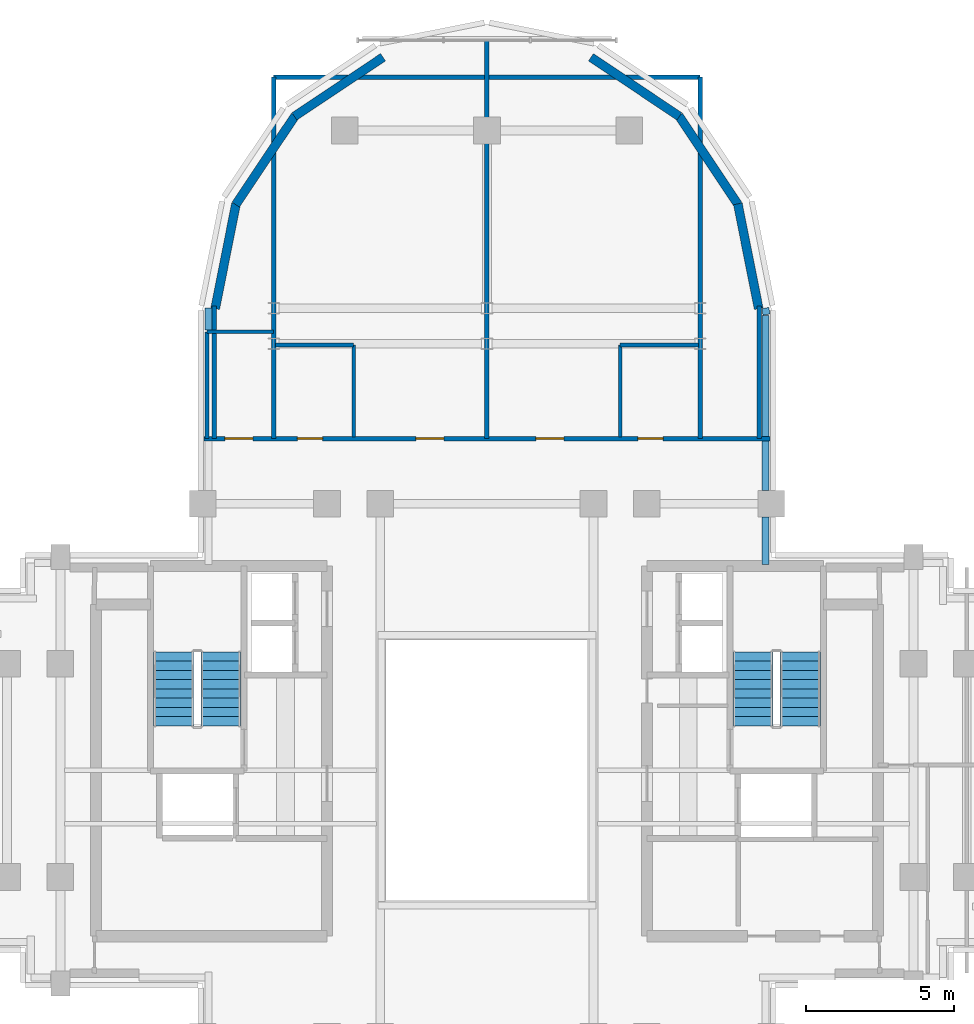
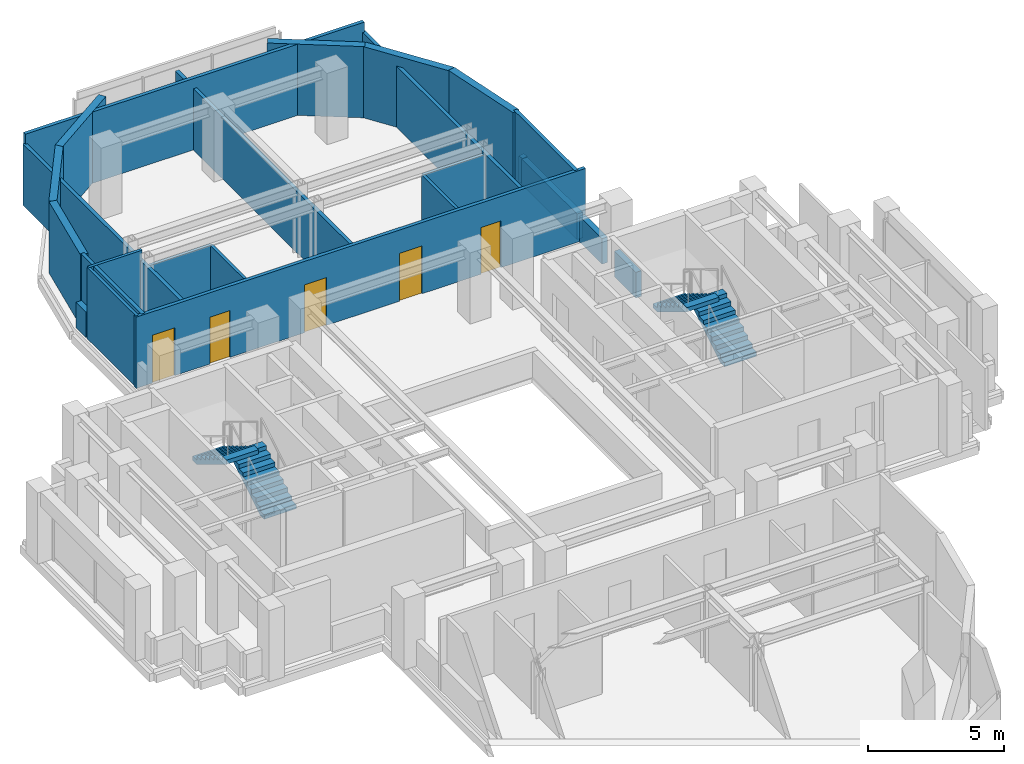
# One storey, part 8 of 11: 24 walls, 5 doors, 4 stair flights, 5 openings, 2 elements without a shape of their own.
"""IFC4 building model written with IfcOpenShell, lengths in metres."""

from ifc_helpers import new_model, si_unit, direction, frame, frame_2d, origin, place, context, subcontext, project, spatial, polyline, rectangle, outline, extrude, source, transform, mapped, material, layer, layer_set, type_object, element, fill, aggregate, save


model = new_model("IFC4")

# Units and contexts
model_context = context("Model", 3, precision=1e-05, world=origin(), true_north=direction((0.0, 1.0)))
body_context = subcontext(model_context, "Body", "Model", "MODEL_VIEW")
ifc_project = project(units=[si_unit("LENGTHUNIT", "METRE"), si_unit("AREAUNIT", "SQUARE_METRE"), si_unit("VOLUMEUNIT", "CUBIC_METRE"), si_unit("PLANEANGLEUNIT", "RADIAN"), si_unit("MASSUNIT", "GRAM", prefix="KILO")], contexts=[model_context])

# Site, building, storey
site_placement = place(None, origin())
site = spatial("IfcSite", under=ifc_project, at=site_placement, CompositionType="ELEMENT")
building_placement = place(site_placement, origin())
building = spatial("IfcBuilding", under=site, at=building_placement, Name="Keilestroom Media Tower", CompositionType="ELEMENT")
storey_placement = place(building_placement, frame((0.0, 0.0, 201.199951171875)))
storey = spatial("IfcBuildingStorey", under=building, at=storey_placement, Name="L55", CompositionType="ELEMENT", Elevation=201.199951171875)

# Walls
ifc_material_1 = material(Name="Precast concrete C40/50", Category="concrete")
ifc_layer_1 = layer(ifc_material_1, 0.300048828125)
ifc_layer_set_1 = layer_set([ifc_layer_1], Name="Precast concrete C40/50")
wall_type_1 = type_object("IfcWallType", Name="Exterior-Masonry-Spandrel-Wall-300", PredefinedType="SOLIDWALL", material=ifc_layer_set_1)
for number, where, z_axis, x_axis, name in (
    (1, (9.1748046875, 15.585205078125, 0.0), (0.0, 0.0, 1.0), (-0.195114232679, 0.980780523974, 0.0), "L55 Lobe Facet Precast Frame Wall 01"),
    (2, (8.48193359375, 19.097412109375, 0.0), (0.0, 0.0, 1.0), (-0.555574187116, 0.831466970246, 0.0), "L55 Lobe Facet Precast Frame Wall 02"),
):
    element("IfcWall", number, at=place(storey_placement, frame(where, z_axis=z_axis, x_axis=x_axis)), inside=storey, type_object=wall_type_1, Name=name, PredefinedType="SOLIDWALL", context=body_context, shape_type="SweptSolid", body=[
        extrude(rectangle(XDim=3.608642578125, YDim=0.300048828125, at=frame_2d((1.80419921875, 0.0))), origin(), (0.0, 0.0, 1.0), 3.199951171875),
    ])
for number, where, z_axis, x_axis, name in (
    (3, (6.497802734375, 22.0771484375, 0.0), (0.0, 0.0, 1.0), (-0.8314749531, 0.555562239868, 0.0), "L55 Lobe Facet Precast Frame Wall 03"),
    (4, (-3.510009765625, 24.073486328125, 0.0), (0.0, 0.0, 1.0), (-0.8314749531, -0.555562239868, 0.0), "L55 Lobe Facet Precast Frame Wall 04"),
):
    element("IfcWall", number, at=place(storey_placement, frame(where, z_axis=z_axis, x_axis=x_axis)), inside=storey, type_object=wall_type_1, Name=name, PredefinedType="SOLIDWALL", context=body_context, shape_type="SweptSolid", body=[
        extrude(rectangle(XDim=3.59326171875, YDim=0.300048828125, at=frame_2d((1.796630859375, 0.0))), origin(), (0.0, 0.0, 1.0), 3.199951171875),
    ])
for number, where, z_axis, x_axis, name in (
    (5, (-6.47705078125, 22.097900390625, 0.0), (0.0, 0.0, 1.0), (-0.555574187116, -0.831466970246, 0.0), "L55 Lobe Facet Precast Frame Wall 05"),
    (6, (-8.470703125, 19.12451171875, 0.0), (0.0, 0.0, 1.0), (-0.195114232679, -0.980780523974, 0.0), "L55 Lobe Facet Precast Frame Wall 06"),
):
    element("IfcWall", number, at=place(storey_placement, frame(where, z_axis=z_axis, x_axis=x_axis)), inside=storey, type_object=wall_type_1, Name=name, PredefinedType="SOLIDWALL", context=body_context, shape_type="SweptSolid", body=[
        extrude(rectangle(XDim=3.608642578125, YDim=0.300048828125, at=frame_2d((1.80419921875, 0.0))), origin(), (0.0, 0.0, 1.0), 3.199951171875),
    ])
ifc_material_2 = material(Name="Gypsum Plasterboard & Steel Stud", Category="steel")
ifc_layer_2 = layer(ifc_material_2, 0.1201171875)
ifc_layer_set_2 = layer_set([ifc_layer_2], Name="Gypsum Plasterboard & Steel Stud")
wall_type_2 = type_object("IfcWallType", Name="Interior-Partition-Wall-120", PredefinedType="PARTITIONING", material=ifc_layer_set_2)
wall_1_placement = place(storey_placement, frame((-9.449951171875, 14.800048828125, 0.0), z_axis=(0.0, 0.0, 1.0), x_axis=(1.0, 0.0, 0.0)))
element("IfcWall", 7, at=wall_1_placement, inside=storey, type_object=wall_type_2, Name="L55 Interior Wall WP-L55-H307-WC-N", PredefinedType="PARTITIONING", context=body_context, shape_type="SweptSolid", body=[
    extrude(rectangle(XDim=2.25, YDim=0.1201171875, at=frame_2d((1.125, 0.0))), origin(), (0.0, 0.0, 1.0), 3.199951171875),
])
wall_2_placement = place(storey_placement, frame((-9.449951171875, 11.199951171875, 0.0), z_axis=(0.0, 0.0, 1.0), x_axis=(0.0, 1.0, 0.0)))
element("IfcWall", 8, at=wall_2_placement, inside=storey, type_object=wall_type_2, Name="L55 Interior Wall WP-L55-H307-WC-W", PredefinedType="PARTITIONING", context=body_context, shape_type="SweptSolid", body=[
    extrude(rectangle(XDim=3.60009765625, YDim=0.1201171875, at=frame_2d((1.800048828125, 0.0))), origin(), (0.0, 0.0, 1.0), 3.199951171875),
])
wall_3_placement = place(storey_placement, frame((-4.5, 11.260009765625, 0.0), z_axis=(0.0, 0.0, 1.0), x_axis=(0.0, 1.0, 0.0)))
element("IfcWall", 9, at=wall_3_placement, inside=storey, type_object=wall_type_2, Name="L55 Interior Wall WP-L55-ENS307W-NWP", PredefinedType="PARTITIONING", context=body_context, shape_type="SweptSolid", body=[
    extrude(rectangle(XDim=3.10009765625, YDim=0.1201171875, at=frame_2d((1.550048828125, 0.0))), origin(), (0.0, 0.0, 1.0), 2.75),
])
wall_4_placement = place(storey_placement, frame((-7.139892578125, 14.360107421875, 0.0), z_axis=(0.0, 0.0, 1.0), x_axis=(1.0, 0.0, 0.0)))
element("IfcWall", 10, at=wall_4_placement, inside=storey, type_object=wall_type_2, Name="L55 Interior Wall WP-L55-ENS307H-NWP", PredefinedType="PARTITIONING", context=body_context, shape_type="SweptSolid", body=[
    extrude(rectangle(XDim=2.639892578125, YDim=0.1201171875, at=frame_2d((1.31982421875, 0.0))), origin(), (0.0, 0.0, 1.0), 2.75),
])
wall_5_placement = place(storey_placement, frame((4.5, 11.260009765625, 0.0), z_axis=(0.0, 0.0, 1.0), x_axis=(0.0, 1.0, 0.0)))
element("IfcWall", 11, at=wall_5_placement, inside=storey, type_object=wall_type_2, Name="L55 Interior Wall WP-L55-ENS307W-NEP", PredefinedType="PARTITIONING", context=body_context, shape_type="SweptSolid", body=[
    extrude(rectangle(XDim=3.10009765625, YDim=0.1201171875, at=frame_2d((1.550048828125, 0.0))), origin(), (0.0, 0.0, 1.0), 2.75),
])
wall_6_placement = place(storey_placement, frame((4.5, 14.360107421875, 0.0), z_axis=(0.0, 0.0, 1.0), x_axis=(1.0, 0.0, 0.0)))
element("IfcWall", 12, at=wall_6_placement, inside=storey, type_object=wall_type_2, Name="L55 Interior Wall WP-L55-ENS307H-NEP", PredefinedType="PARTITIONING", context=body_context, shape_type="SweptSolid", body=[
    extrude(rectangle(XDim=2.639892578125, YDim=0.1201171875, at=frame_2d((1.31982421875, 0.0))), origin(), (0.0, 0.0, 1.0), 2.75),
])

# Wall, openings, doors
ifc_layer_3 = layer(ifc_material_2, 0.14990234375)
ifc_layer_set_3 = layer_set([ifc_layer_3], Name="Gypsum Plasterboard & Steel Stud")
wall_type_3 = type_object("IfcWallType", Name="Interior-Partition-Wall-150", PredefinedType="PARTITIONING", material=ifc_layer_set_3)
wall_7_placement = place(storey_placement, frame((-9.550048828125, 11.199951171875, 0.0), z_axis=(0.0, 0.0, 1.0), x_axis=(1.0, 0.0, 0.0)))
wall_7 = element("IfcWall", 13, at=wall_7_placement, inside=storey, type_object=wall_type_3, Name="L55 Interior Wall WP-L55-H307-N-BASE", PredefinedType="PARTITIONING", context=body_context, shape_type="SweptSolid", body=[
    extrude(rectangle(XDim=19.10009765625, YDim=0.14990234375, at=frame_2d((9.550048828125, 0.0))), origin(), (0.0, 0.0, 1.0), 3.199951171875),
])
opening_1_placement = place(wall_7_placement, frame((0.699951171875, 0.0, 0.0)))
opening_1 = element("IfcOpeningElement", 14, at=opening_1_placement, cuts=wall_7, Name="Opening DI-03", PredefinedType="OPENING", context=body_context, shape_type="SweptSolid", body=[
    extrude(rectangle(XDim=0.949951171875, YDim=2.14990234375, at=frame_2d((0.47509765625, 1.074951171875))), frame((0.0, 0.0849609375, 0.0), z_axis=(0.0, -1.0, 0.0), x_axis=(1.0, 0.0, 0.0)), (0.0, 0.0, 1.0), 0.169921875),
])
opening_2_placement = place(wall_7_placement, frame((3.14990234375, 0.0, 0.0)))
opening_2 = element("IfcOpeningElement", 15, at=opening_2_placement, cuts=wall_7, Name="Opening DI-05", PredefinedType="OPENING", context=body_context, shape_type="SweptSolid", body=[
    extrude(rectangle(XDim=0.85009765625, YDim=2.10009765625, at=frame_2d((0.425048828125, 1.050048828125))), frame((0.0, 0.0849609375, 0.0), z_axis=(0.0, -1.0, 0.0), x_axis=(1.0, 0.0, 0.0)), (0.0, 0.0, 1.0), 0.169921875),
])
opening_3_placement = place(wall_7_placement, frame((7.14990234375, 0.0, 0.0)))
opening_3 = element("IfcOpeningElement", 16, at=opening_3_placement, cuts=wall_7, Name="Opening DI-03", PredefinedType="OPENING", context=body_context, shape_type="SweptSolid", body=[
    extrude(rectangle(XDim=0.949951171875, YDim=2.14990234375, at=frame_2d((0.47509765625, 1.074951171875))), frame((0.0, 0.0849609375, 0.0), z_axis=(0.0, -1.0, 0.0), x_axis=(1.0, 0.0, 0.0)), (0.0, 0.0, 1.0), 0.169921875),
])
opening_4_placement = place(wall_7_placement, frame((14.64990234375, 0.0, 0.0)))
opening_4 = element("IfcOpeningElement", 17, at=opening_4_placement, cuts=wall_7, Name="Opening DI-05", PredefinedType="OPENING", context=body_context, shape_type="SweptSolid", body=[
    extrude(rectangle(XDim=0.85009765625, YDim=2.10009765625, at=frame_2d((0.425048828125, 1.050048828125))), frame((0.0, 0.0849609375, 0.0), z_axis=(0.0, -1.0, 0.0), x_axis=(1.0, 0.0, 0.0)), (0.0, 0.0, 1.0), 0.169921875),
])
opening_5_placement = place(wall_7_placement, frame((11.199951171875, 0.0, 0.0)))
opening_5 = element("IfcOpeningElement", 18, at=opening_5_placement, cuts=wall_7, Name="Opening DI-03", PredefinedType="OPENING", context=body_context, shape_type="SweptSolid", body=[
    extrude(rectangle(XDim=0.949951171875, YDim=2.14990234375, at=frame_2d((0.47509765625, 1.074951171875))), frame((0.0, 0.0849609375, 0.0), z_axis=(0.0, -1.0, 0.0), x_axis=(1.0, 0.0, 0.0)), (0.0, 0.0, 1.0), 0.169921875),
])
ifc_material_3 = material(Name="Lacquered European Oak Leaf", Category="wood")
door_type_1 = type_object("IfcDoorType", Name="Interior-Room-And-Suite-Door-DI-03", OperationType="NOTDEFINED", PredefinedType="DOOR", material=ifc_material_3)
shared_shape_1 = source(origin(), body_context, "Body", "SweptSolid", [
    extrude(rectangle(XDim=0.949951171875, YDim=2.14990234375, at=frame_2d((0.47509765625, 1.074951171875))), frame((0.0, 0.02490234375, 0.0), z_axis=(0.0, -1.0, 0.0), x_axis=(1.0, 0.0, 0.0)), (0.0, 0.0, 1.0), 0.050048828125),
])
door_1_placement = place(opening_1_placement, origin())
door_1 = element("IfcDoor", 19, at=door_1_placement, inside=storey, type_object=door_type_1, Name="L55 Interior Door DI-L55-DH307-WC", OperationType="SINGLE_SWING_RIGHT", OverallHeight=2.14990234375, OverallWidth=0.949951171875, PredefinedType="DOOR", context=body_context, shape_type="MappedRepresentation", body=[
    mapped(shared_shape_1, transform((0.0, 0.0, 0.0), x_axis=(1.0, 0.0, 0.0), y_axis=(0.0, 1.0, 0.0), z_axis=(0.0, 0.0, 1.0), scale=1.0)),
])
fill(opening_1, door_1)
door_2_placement = place(opening_3_placement, origin())
door_2 = element("IfcDoor", 20, at=door_2_placement, inside=storey, type_object=door_type_1, Name="L55 Interior Door DI-L55-DHTL307-NWP", OperationType="SINGLE_SWING_RIGHT", OverallHeight=2.14990234375, OverallWidth=0.949951171875, PredefinedType="DOOR", context=body_context, shape_type="MappedRepresentation", body=[
    mapped(shared_shape_1, transform((0.0, 0.0, 0.0), x_axis=(1.0, 0.0, 0.0), y_axis=(0.0, 1.0, 0.0), z_axis=(0.0, 0.0, 1.0), scale=1.0)),
])
fill(opening_3, door_2)
door_3_placement = place(opening_5_placement, origin())
door_3 = element("IfcDoor", 21, at=door_3_placement, inside=storey, type_object=door_type_1, Name="L55 Interior Door DI-L55-DHTL307-NEP", OperationType="SINGLE_SWING_RIGHT", OverallHeight=2.14990234375, OverallWidth=0.949951171875, PredefinedType="DOOR", context=body_context, shape_type="MappedRepresentation", body=[
    mapped(shared_shape_1, transform((0.0, 0.0, 0.0), x_axis=(1.0, 0.0, 0.0), y_axis=(0.0, 1.0, 0.0), z_axis=(0.0, 0.0, 1.0), scale=1.0)),
])
fill(opening_5, door_3)
ifc_material_4 = material(Name="Moisture-Resistant Oak Leaf", Category="wood")
door_type_2 = type_object("IfcDoorType", Name="Interior-En-Suite-And-Cupboard-Door-DI-05", OperationType="NOTDEFINED", PredefinedType="DOOR", material=ifc_material_4)
shared_shape_2 = source(origin(), body_context, "Body", "SweptSolid", [
    extrude(rectangle(XDim=0.85009765625, YDim=2.10009765625, at=frame_2d((0.425048828125, 1.050048828125))), frame((0.0, 0.02490234375, 0.0), z_axis=(0.0, -1.0, 0.0), x_axis=(1.0, 0.0, 0.0)), (0.0, 0.0, 1.0), 0.050048828125),
])
door_4_placement = place(opening_2_placement, origin())
door_4 = element("IfcDoor", 22, at=door_4_placement, inside=storey, type_object=door_type_2, Name="L55 Interior Door DI-L55-DENS307-NWP", OperationType="SINGLE_SWING_LEFT", OverallHeight=2.10009765625, OverallWidth=0.85009765625, PredefinedType="DOOR", context=body_context, shape_type="MappedRepresentation", body=[
    mapped(shared_shape_2, transform((0.0, 0.0, 0.0), x_axis=(1.0, 0.0, 0.0), y_axis=(0.0, 1.0, 0.0), z_axis=(0.0, 0.0, 1.0), scale=1.0)),
])
fill(opening_2, door_4)
door_5_placement = place(opening_4_placement, origin())
door_5 = element("IfcDoor", 23, at=door_5_placement, inside=storey, type_object=door_type_2, Name="L55 Interior Door DI-L55-DENS307-NEP", OperationType="SINGLE_SWING_LEFT", OverallHeight=2.10009765625, OverallWidth=0.85009765625, PredefinedType="DOOR", context=body_context, shape_type="MappedRepresentation", body=[
    mapped(shared_shape_2, transform((0.0, 0.0, 0.0), x_axis=(1.0, 0.0, 0.0), y_axis=(0.0, 1.0, 0.0), z_axis=(0.0, 0.0, 1.0), scale=1.0)),
])
fill(opening_4, door_5)

# Walls
for number, where, z_axis, x_axis, name in (
    (24, (-9.199951171875, 11.199951171875, 0.0), (0.0, 0.0, 1.0), (0.0, 1.0, 0.0), "L55 Interior Wall WP-L55-NL-CHKW"),
    (25, (9.199951171875, 11.199951171875, 0.0), (0.0, 0.0, 1.0), (0.0, 1.0, 0.0), "L55 Interior Wall WP-L55-NL-CHKE"),
):
    element("IfcWall", number, at=place(storey_placement, frame(where, z_axis=z_axis, x_axis=x_axis)), inside=storey, type_object=wall_type_3, Name=name, PredefinedType="PARTITIONING", context=body_context, shape_type="SweptSolid", body=[
        extrude(rectangle(XDim=4.47998046875, YDim=0.14990234375, at=frame_2d((2.239990234375, 0.0))), origin(), (0.0, 0.0, 1.0), 3.199951171875),
    ])
wall_8_placement = place(storey_placement, frame((-7.199951171875, 11.199951171875, 0.0), z_axis=(0.0, 0.0, 1.0), x_axis=(0.0, 1.0, 0.0)))
element("IfcWall", 26, at=wall_8_placement, inside=storey, type_object=wall_type_3, Name="L55 Interior Wall WP-L55-H307-NV--72", PredefinedType="PARTITIONING", context=body_context, shape_type="SweptSolid", body=[
    extrude(rectangle(XDim=12.199951171875, YDim=0.14990234375, at=frame_2d((6.10009765625, 0.0))), origin(), (0.0, 0.0, 1.0), 2.75),
])
wall_9_placement = place(storey_placement, frame((0.0, 11.199951171875, 0.0), z_axis=(0.0, 0.0, 1.0), x_axis=(0.0, 1.0, 0.0)))
element("IfcWall", 27, at=wall_9_placement, inside=storey, type_object=wall_type_3, Name="L55 Interior Wall WP-L55-H307-NV-0", PredefinedType="PARTITIONING", context=body_context, shape_type="SweptSolid", body=[
    extrude(rectangle(XDim=13.449951171875, YDim=0.14990234375, at=frame_2d((6.72509765625, 0.0))), origin(), (0.0, 0.0, 1.0), 2.75),
])
wall_10_placement = place(storey_placement, frame((7.199951171875, 11.199951171875, 0.0), z_axis=(0.0, 0.0, 1.0), x_axis=(0.0, 1.0, 0.0)))
element("IfcWall", 28, at=wall_10_placement, inside=storey, type_object=wall_type_3, Name="L55 Interior Wall WP-L55-H307-NV-72", PredefinedType="PARTITIONING", context=body_context, shape_type="SweptSolid", body=[
    extrude(rectangle(XDim=12.199951171875, YDim=0.14990234375, at=frame_2d((6.10009765625, 0.0))), origin(), (0.0, 0.0, 1.0), 2.75),
])
wall_11_placement = place(storey_placement, frame((-7.199951171875, 23.39990234375, 0.0), z_axis=(0.0, 0.0, 1.0), x_axis=(1.0, 0.0, 0.0)))
element("IfcWall", 29, at=wall_11_placement, inside=storey, type_object=wall_type_3, Name="L55 Interior Wall WP-L55-H307-NTIP", PredefinedType="PARTITIONING", context=body_context, shape_type="SweptSolid", body=[
    extrude(rectangle(XDim=14.39990234375, YDim=0.14990234375, at=frame_2d((7.199951171875, 0.0))), origin(), (0.0, 0.0, 1.0), 3.199951171875),
])
ifc_layer_4 = layer(ifc_material_1, 0.239990234375)
ifc_layer_set_4 = layer_set([ifc_layer_4], Name="Precast concrete C40/50")
wall_type_4 = type_object("IfcWallType", Name="Roof-And-Terrace-Parapet-Wall-240", PredefinedType="PARAPET", material=ifc_layer_set_4)
wall_12_placement = place(storey_placement, frame((-9.39990234375, 14.863037109375, 0.0), z_axis=(0.0, 0.0, 1.0), x_axis=(0.0, 1.0, 0.0)))
element("IfcWall", 30, at=wall_12_placement, inside=storey, type_object=wall_type_4, Name="L55 Perimeter Edge Parapet Wall 30", PredefinedType="PARAPET", context=body_context, shape_type="SweptSolid", body=[
    extrude(rectangle(XDim=0.73974609375, YDim=0.239990234375, at=frame_2d((0.369873046875, 0.0))), origin(), (0.0, 0.0, 1.0), 1.150146484375),
])
wall_13_placement = place(storey_placement, frame((9.395263671875, 15.604248046875, 0.0), z_axis=(0.0, 0.0, 1.0), x_axis=(0.194652052864, -0.980872355771, 0.0)))
element("IfcWall", 31, at=wall_13_placement, inside=storey, type_object=wall_type_4, Name="L55 Perimeter Edge Parapet Wall 31", PredefinedType="PARAPET", context=body_context, shape_type="SweptSolid", body=[
    extrude(rectangle(XDim=0.224609375, YDim=0.239990234375, at=frame_2d((0.1123046875, 0.0))), origin(), (0.0, 0.0, 1.0), 1.150146484375),
])
wall_14_placement = place(storey_placement, frame((9.39990234375, 15.357666015625, 0.0), z_axis=(0.0, 0.0, 1.0), x_axis=(0.0, -1.0, 0.0)))
element("IfcWall", 32, at=wall_14_placement, inside=storey, type_object=wall_type_4, Name="L55 Perimeter Edge Parapet Wall 32", PredefinedType="PARAPET", context=body_context, shape_type="SweptSolid", body=[
    extrude(rectangle(XDim=4.07958984375, YDim=0.239990234375, at=frame_2d((2.039794921875, 0.0))), origin(), (0.0, 0.0, 1.0), 1.150146484375),
])
wall_15_placement = place(storey_placement, frame((9.39990234375, 11.1220703125, 0.0), z_axis=(0.0, 0.0, 1.0), x_axis=(0.0, -1.0, 0.0)))
element("IfcWall", 33, at=wall_15_placement, inside=storey, type_object=wall_type_4, Name="L55 Perimeter Edge Parapet Wall 33", PredefinedType="PARAPET", context=body_context, shape_type="SweptSolid", body=[
    extrude(rectangle(XDim=1.669189453125, YDim=0.239990234375, at=frame_2d((0.83447265625, 0.0))), origin(), (0.0, 0.0, 1.0), 1.150146484375),
])
wall_16_placement = place(storey_placement, frame((9.39990234375, 8.547119140625, 0.0), z_axis=(0.0, 0.0, 1.0), x_axis=(0.0, -1.0, 0.0)))
element("IfcWall", 34, at=wall_16_placement, inside=storey, type_object=wall_type_4, Name="L55 Perimeter Edge Parapet Wall 34", PredefinedType="PARAPET", context=body_context, shape_type="SweptSolid", body=[
    extrude(rectangle(XDim=1.59423828125, YDim=0.239990234375, at=frame_2d((0.797119140625, 0.0))), origin(), (0.0, 0.0, 1.0), 1.150146484375),
])

# Stair, stair flights
ifc_material_5 = material(Name="Concrete C45/55", Category="concrete")
stair_type = type_object("IfcStairType", Name="Enclosed-Dog-Leg-Stair-ST-CORE", PredefinedType="HALF_TURN_STAIR", material=ifc_material_5)
stair_1_placement = place(storey_placement, origin())
stair_1 = element("IfcStair", 35, at=stair_1_placement, inside=storey, type_object=stair_type, Name="L55 West Core Escape Stair ST-1", PredefinedType="HALF_TURN_STAIR")
stair_flight_type = type_object("IfcStairFlightType", Name="Precast-Concrete-Stair-Flight-Core-160", PredefinedType="STRAIGHT", material=ifc_material_1)
stair_flight_1_placement = place(storey_placement, frame((-8.97998046875, 1.5, 0.0), z_axis=(0.0, 0.0, 1.0), x_axis=(0.0, 1.0, 0.0)))
stair_flight_1 = element("IfcStairFlight", 36, at=stair_flight_1_placement, type_object=stair_flight_type, Name="ST-1 flight 1", NumberOfRisers=9, NumberOfTreads=8, PredefinedType="STRAIGHT", RiserHeight=0.188888889, TreadLength=0.312, context=body_context, shape_type="SweptSolid", body=[
    extrude(outline(polyline([(0.0, 0.0), (0.0, 0.18896484375), (0.31201171875, 0.18896484375), (0.31201171875, 0.377685546875), (0.6240234375, 0.377685546875), (0.6240234375, 0.566650390625), (0.93603515625, 0.566650390625), (0.93603515625, 0.755615234375), (1.248046875, 0.755615234375), (1.248046875, 0.9443359375), (1.56005859375, 0.9443359375), (1.56005859375, 1.13330078125), (1.8720703125, 1.13330078125), (1.8720703125, 1.322265625), (2.18408203125, 1.322265625), (2.18408203125, 1.51123046875), (2.49609375, 1.51123046875), (2.49609375, 1.699951171875), (2.49609375, 1.32421875), (0.308837890625, 0.0), (0.0, 0.0)])), frame((0.0, 0.68017578125, 0.0), z_axis=(0.0, -1.0, 0.0), x_axis=(1.0, 0.0, 0.0)), (0.0, 0.0, 1.0), 1.360107421875),
])
stair_flight_2_placement = place(storey_placement, frame((-10.580078125, 3.99609375, 1.699951171875), z_axis=(0.0, 0.0, 1.0), x_axis=(0.0, -1.0, 0.0)))
stair_flight_2 = element("IfcStairFlight", 37, at=stair_flight_2_placement, type_object=stair_flight_type, Name="ST-1 flight 2", NumberOfRisers=9, NumberOfTreads=8, PredefinedType="STRAIGHT", RiserHeight=0.188888889, TreadLength=0.312, context=body_context, shape_type="SweptSolid", body=[
    extrude(outline(polyline([(0.0, 0.0), (0.0, 0.18896484375), (0.31201171875, 0.18896484375), (0.31201171875, 0.377685546875), (0.6240234375, 0.377685546875), (0.6240234375, 0.566650390625), (0.93603515625, 0.566650390625), (0.93603515625, 0.755615234375), (1.248046875, 0.755615234375), (1.248046875, 0.9443359375), (1.56005859375, 0.9443359375), (1.56005859375, 1.13330078125), (1.8720703125, 1.13330078125), (1.8720703125, 1.322265625), (2.18408203125, 1.322265625), (2.18408203125, 1.51123046875), (2.49609375, 1.51123046875), (2.49609375, 1.699951171875), (2.49609375, 1.32421875), (0.308837890625, 0.0), (0.0, 0.0)])), frame((0.0, 0.68017578125, 0.0), z_axis=(0.0, -1.0, 0.0), x_axis=(1.0, 0.0, 0.0)), (0.0, 0.0, 1.0), 1.360107421875),
])
aggregate(stair_1, [stair_flight_1, stair_flight_2])

stair_2_placement = place(storey_placement, origin())
stair_2 = element("IfcStair", 38, at=stair_2_placement, inside=storey, type_object=stair_type, Name="L55 East Core Escape Stair ST-2", PredefinedType="HALF_TURN_STAIR")
stair_flight_3_placement = place(storey_placement, frame((10.580078125, 1.5, 0.0), z_axis=(0.0, 0.0, 1.0), x_axis=(0.0, 1.0, 0.0)))
stair_flight_3 = element("IfcStairFlight", 39, at=stair_flight_3_placement, type_object=stair_flight_type, Name="ST-2 flight 1", NumberOfRisers=9, NumberOfTreads=8, PredefinedType="STRAIGHT", RiserHeight=0.188888889, TreadLength=0.312, context=body_context, shape_type="SweptSolid", body=[
    extrude(outline(polyline([(0.0, 0.0), (0.0, 0.18896484375), (0.31201171875, 0.18896484375), (0.31201171875, 0.377685546875), (0.6240234375, 0.377685546875), (0.6240234375, 0.566650390625), (0.93603515625, 0.566650390625), (0.93603515625, 0.755615234375), (1.248046875, 0.755615234375), (1.248046875, 0.9443359375), (1.56005859375, 0.9443359375), (1.56005859375, 1.13330078125), (1.8720703125, 1.13330078125), (1.8720703125, 1.322265625), (2.18408203125, 1.322265625), (2.18408203125, 1.51123046875), (2.49609375, 1.51123046875), (2.49609375, 1.699951171875), (2.49609375, 1.32421875), (0.308837890625, 0.0), (0.0, 0.0)])), frame((0.0, 0.68017578125, 0.0), z_axis=(0.0, -1.0, 0.0), x_axis=(1.0, 0.0, 0.0)), (0.0, 0.0, 1.0), 1.360107421875),
])
stair_flight_4_placement = place(storey_placement, frame((8.97998046875, 3.99609375, 1.699951171875), z_axis=(0.0, 0.0, 1.0), x_axis=(0.0, -1.0, 0.0)))
stair_flight_4 = element("IfcStairFlight", 40, at=stair_flight_4_placement, type_object=stair_flight_type, Name="ST-2 flight 2", NumberOfRisers=9, NumberOfTreads=8, PredefinedType="STRAIGHT", RiserHeight=0.188888889, TreadLength=0.312, context=body_context, shape_type="SweptSolid", body=[
    extrude(outline(polyline([(0.0, 0.0), (0.0, 0.18896484375), (0.31201171875, 0.18896484375), (0.31201171875, 0.377685546875), (0.6240234375, 0.377685546875), (0.6240234375, 0.566650390625), (0.93603515625, 0.566650390625), (0.93603515625, 0.755615234375), (1.248046875, 0.755615234375), (1.248046875, 0.9443359375), (1.56005859375, 0.9443359375), (1.56005859375, 1.13330078125), (1.8720703125, 1.13330078125), (1.8720703125, 1.322265625), (2.18408203125, 1.322265625), (2.18408203125, 1.51123046875), (2.49609375, 1.51123046875), (2.49609375, 1.699951171875), (2.49609375, 1.32421875), (0.308837890625, 0.0), (0.0, 0.0)])), frame((0.0, 0.68017578125, 0.0), z_axis=(0.0, -1.0, 0.0), x_axis=(1.0, 0.0, 0.0)), (0.0, 0.0, 1.0), 1.360107421875),
])
aggregate(stair_2, [stair_flight_3, stair_flight_4])

save(model, "model.ifc")
